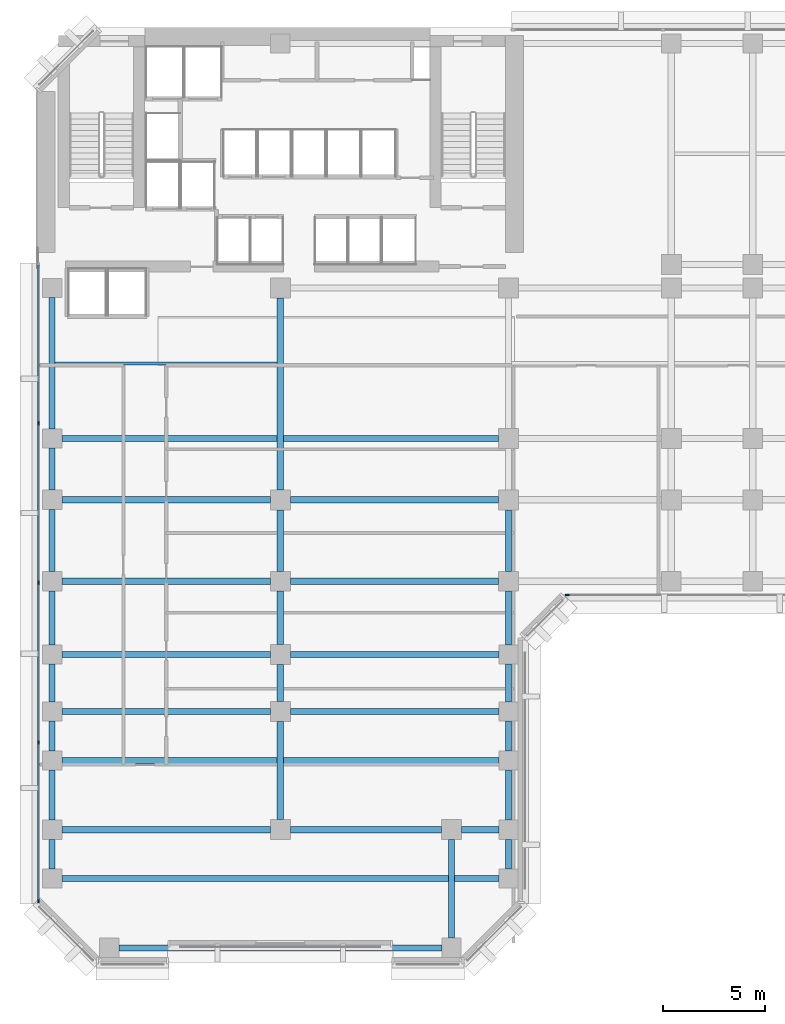
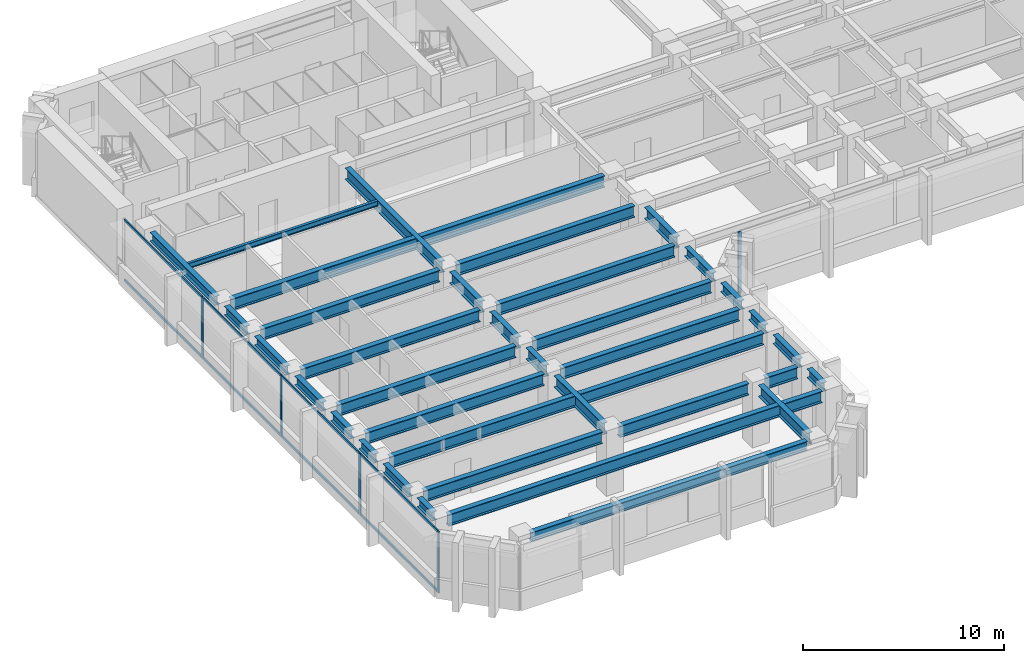
# One storey, part 2 of 13: 36 beams, 13 members, 2 elements without a shape of their own.
"""IFC4 building model written with IfcOpenShell, lengths in metres."""

from ifc_helpers import new_model, si_unit, direction, frame, origin, origin_2d, place, context, subcontext, project, spatial, rectangle, i_section, extrude, material, layer, layer_set, material_profile, profile_set, type_object, element, aggregate, save


model = new_model("IFC4")

# Units and contexts
model_context = context("Model", 3, precision=1e-05, world=origin(), true_north=direction((0.0, 1.0)))
body_context = subcontext(model_context, "Body", "Model", "MODEL_VIEW")
ifc_project = project(units=[si_unit("LENGTHUNIT", "METRE"), si_unit("AREAUNIT", "SQUARE_METRE"), si_unit("VOLUMEUNIT", "CUBIC_METRE"), si_unit("PLANEANGLEUNIT", "RADIAN"), si_unit("MASSUNIT", "GRAM", prefix="KILO")], contexts=[model_context])

# Site, building, storey
site_placement = place(None, origin())
site = spatial("IfcSite", under=ifc_project, at=site_placement, CompositionType="ELEMENT")
building_placement = place(site_placement, origin())
building = spatial("IfcBuilding", under=site, at=building_placement, Name="Kefirva Bronze Tower", CompositionType="ELEMENT")
storey_placement = place(building_placement, frame((0.0, 0.0, 77.8798828125)))
storey = spatial("IfcBuildingStorey", under=building, at=storey_placement, Name="L18", CompositionType="ELEMENT", Elevation=77.8798828125)

# Curtain wall, member
ifc_material_1 = material(Name="Bronze anodised aluminium", Category="aluminium")
ifc_layer = layer(ifc_material_1, 0.199951171875, Name="Bronze anodised aluminium")
ifc_layer_set = layer_set([ifc_layer], Name="Bronze anodised aluminium")
curtain_wall_type = type_object("IfcCurtainWallType", Name="Unitised Bronze Ribbon Curtain Wall Zone 1", PredefinedType="USERDEFINED", material=ifc_layer_set)
curtain_wall_1_placement = place(storey_placement, origin())
curtain_wall_1 = element("IfcCurtainWall", 1, at=curtain_wall_1_placement, inside=storey, type_object=curtain_wall_type, Name="L18 Curtain Wall 1", ObjectType="UNITISED CURTAIN WALL", PredefinedType="USERDEFINED")
ifc_material_profile_1 = material_profile(ifc_material_1, rectangle(XDim=0.074951171875, YDim=0.179931640625, at=origin_2d()), Name="ALU 75x180")
ifc_profile_set_1 = profile_set([ifc_material_profile_1], Name="Bronze anodised aluminium")
member_type_1 = type_object("IfcMemberType", Name="Bronze Mullion 75x180", PredefinedType="MULLION", material=ifc_profile_set_1)
member_1_placement = place(storey_placement, frame((26.092529296875, 18.1201171875, 0.0), z_axis=(0.0, 0.0, 1.0), x_axis=(0.0, 1.0, 0.0)))
member_1 = element("IfcMember", 2, at=member_1_placement, type_object=member_type_1, Name="CW-01 mullion 1", PredefinedType="MULLION", context=body_context, shape_type="SweptSolid", body=[
    extrude(rectangle(XDim=0.074951171875, YDim=0.179931640625, at=origin_2d()), origin(), (0.0, 0.0, 1.0), 3.710205078125),
])
aggregate(curtain_wall_1, [member_1])

# Curtain wall, members
curtain_wall_2_placement = place(storey_placement, origin())
curtain_wall_2 = element("IfcCurtainWall", 3, at=curtain_wall_2_placement, inside=storey, type_object=curtain_wall_type, Name="L18 Curtain Wall 4", ObjectType="UNITISED CURTAIN WALL", PredefinedType="USERDEFINED")
member_2_placement = place(storey_placement, frame((0.1201171875, 26.56005859375, 0.0), z_axis=(0.0, 0.0, 1.0), x_axis=(1.0, 0.0, 0.0)))
member_2 = element("IfcMember", 4, at=member_2_placement, type_object=member_type_1, Name="CW-01 mullion 2", PredefinedType="MULLION", context=body_context, shape_type="SweptSolid", body=[
    extrude(rectangle(XDim=0.074951171875, YDim=0.179931640625, at=origin_2d()), origin(), (0.0, 0.0, 1.0), 3.710205078125),
])
member_3_placement = place(storey_placement, frame((0.1201171875, 18.72509765625, 0.0), z_axis=(0.0, 0.0, 1.0), x_axis=(1.0, 0.0, 0.0)))
member_3 = element("IfcMember", 5, at=member_3_placement, type_object=member_type_1, Name="CW-01 mullion 3", PredefinedType="MULLION", context=body_context, shape_type="SweptSolid", body=[
    extrude(rectangle(XDim=0.074951171875, YDim=0.179931640625, at=origin_2d()), origin(), (0.0, 0.0, 1.0), 3.710205078125),
])
member_4_placement = place(storey_placement, frame((0.1201171875, 10.889892578125, 0.0), z_axis=(0.0, 0.0, 1.0), x_axis=(1.0, 0.0, 0.0)))
member_4 = element("IfcMember", 6, at=member_4_placement, type_object=member_type_1, Name="CW-01 mullion 4", PredefinedType="MULLION", context=body_context, shape_type="SweptSolid", body=[
    extrude(rectangle(XDim=0.074951171875, YDim=0.179931640625, at=origin_2d()), origin(), (0.0, 0.0, 1.0), 3.710205078125),
])
member_5_placement = place(storey_placement, frame((0.1201171875, 3.092529296875, 0.0), z_axis=(0.0, 0.0, 1.0), x_axis=(1.0, 0.0, 0.0)))
member_5 = element("IfcMember", 7, at=member_5_placement, type_object=member_type_1, Name="CW-01 mullion 5", PredefinedType="MULLION", context=body_context, shape_type="SweptSolid", body=[
    extrude(rectangle(XDim=0.074951171875, YDim=0.179931640625, at=origin_2d()), origin(), (0.0, 0.0, 1.0), 3.710205078125),
])
ifc_material_profile_2 = material_profile(ifc_material_1, rectangle(XDim=0.074951171875, YDim=0.14990234375, at=origin_2d()), Name="ALU 75x150")
ifc_profile_set_2 = profile_set([ifc_material_profile_2], Name="Bronze anodised aluminium")
member_type_2 = type_object("IfcMemberType", Name="Bronze Transom 75x150", PredefinedType="USERDEFINED", material=ifc_profile_set_2)
member_6_placement = place(storey_placement, frame((0.1201171875, 34.320068359375, 0.03759765625), z_axis=(0.0, -1.0, 0.0), x_axis=(1.0, 0.0, 0.0)))
member_6 = element("IfcMember", 8, at=member_6_placement, type_object=member_type_2, Name="CW-01 transom 1.1", ObjectType="TRANSOM", PredefinedType="USERDEFINED", context=body_context, shape_type="SweptSolid", body=[
    extrude(rectangle(XDim=0.074951171875, YDim=0.14990234375, at=origin_2d()), origin(), (0.0, 0.0, 1.0), 7.72265625),
])
member_7_placement = place(storey_placement, frame((0.1201171875, 34.320068359375, 3.672607421875), z_axis=(0.0, -1.0, 0.0), x_axis=(1.0, 0.0, 0.0)))
member_7 = element("IfcMember", 9, at=member_7_placement, type_object=member_type_2, Name="CW-01 transom 1.2", ObjectType="TRANSOM", PredefinedType="USERDEFINED", context=body_context, shape_type="SweptSolid", body=[
    extrude(rectangle(XDim=0.074951171875, YDim=0.14990234375, at=origin_2d()), origin(), (0.0, 0.0, 1.0), 7.72265625),
])
member_8_placement = place(storey_placement, frame((0.1201171875, 26.5224609375, 0.03759765625), z_axis=(0.0, -1.0, 0.0), x_axis=(1.0, 0.0, 0.0)))
member_8 = element("IfcMember", 10, at=member_8_placement, type_object=member_type_2, Name="CW-01 transom 2.1", ObjectType="TRANSOM", PredefinedType="USERDEFINED", context=body_context, shape_type="SweptSolid", body=[
    extrude(rectangle(XDim=0.074951171875, YDim=0.14990234375, at=origin_2d()), origin(), (0.0, 0.0, 1.0), 7.760009765625),
])
member_9_placement = place(storey_placement, frame((0.1201171875, 26.5224609375, 3.672607421875), z_axis=(0.0, -1.0, 0.0), x_axis=(1.0, 0.0, 0.0)))
member_9 = element("IfcMember", 11, at=member_9_placement, type_object=member_type_2, Name="CW-01 transom 2.2", ObjectType="TRANSOM", PredefinedType="USERDEFINED", context=body_context, shape_type="SweptSolid", body=[
    extrude(rectangle(XDim=0.074951171875, YDim=0.14990234375, at=origin_2d()), origin(), (0.0, 0.0, 1.0), 7.760009765625),
])
member_10_placement = place(storey_placement, frame((0.1201171875, 18.6875, 0.03759765625), z_axis=(0.0, -1.0, 0.0), x_axis=(1.0, 0.0, 0.0)))
member_10 = element("IfcMember", 12, at=member_10_placement, type_object=member_type_2, Name="CW-01 transom 3.1", ObjectType="TRANSOM", PredefinedType="USERDEFINED", context=body_context, shape_type="SweptSolid", body=[
    extrude(rectangle(XDim=0.074951171875, YDim=0.14990234375, at=origin_2d()), origin(), (0.0, 0.0, 1.0), 7.760009765625),
])
member_11_placement = place(storey_placement, frame((0.1201171875, 18.6875, 3.672607421875), z_axis=(0.0, -1.0, 0.0), x_axis=(1.0, 0.0, 0.0)))
member_11 = element("IfcMember", 13, at=member_11_placement, type_object=member_type_2, Name="CW-01 transom 3.2", ObjectType="TRANSOM", PredefinedType="USERDEFINED", context=body_context, shape_type="SweptSolid", body=[
    extrude(rectangle(XDim=0.074951171875, YDim=0.14990234375, at=origin_2d()), origin(), (0.0, 0.0, 1.0), 7.760009765625),
])
member_12_placement = place(storey_placement, frame((0.1201171875, 10.8525390625, 0.03759765625), z_axis=(0.0, -1.0, 0.0), x_axis=(1.0, 0.0, 0.0)))
member_12 = element("IfcMember", 14, at=member_12_placement, type_object=member_type_2, Name="CW-01 transom 4.1", ObjectType="TRANSOM", PredefinedType="USERDEFINED", context=body_context, shape_type="SweptSolid", body=[
    extrude(rectangle(XDim=0.074951171875, YDim=0.14990234375, at=origin_2d()), origin(), (0.0, 0.0, 1.0), 7.72265625),
])
member_13_placement = place(storey_placement, frame((0.1201171875, 10.8525390625, 3.672607421875), z_axis=(0.0, -1.0, 0.0), x_axis=(1.0, 0.0, 0.0)))
member_13 = element("IfcMember", 15, at=member_13_placement, type_object=member_type_2, Name="CW-01 transom 4.2", ObjectType="TRANSOM", PredefinedType="USERDEFINED", context=body_context, shape_type="SweptSolid", body=[
    extrude(rectangle(XDim=0.074951171875, YDim=0.14990234375, at=origin_2d()), origin(), (0.0, 0.0, 1.0), 7.72265625),
])
aggregate(curtain_wall_2, [member_2, member_3, member_4, member_5, member_6, member_7, member_8, member_9, member_10, member_11, member_12, member_13])

# Beams
ifc_material_2 = material(Name="Steel S355", Category="steel")
ifc_material_profile_3 = material_profile(ifc_material_2, i_section(OverallWidth=0.159912109375, OverallDepth=0.330078125, WebThickness=0.007568359375, FlangeThickness=0.011474609375, at=origin_2d()), Name="IPE 330")
ifc_profile_set_3 = profile_set([ifc_material_profile_3], Name="Steel S355")
beam_type_1 = type_object("IfcBeamType", Name="Steel Floor Joist IPE 330", PredefinedType="JOIST", material=ifc_profile_set_3)
beam_1_placement = place(storey_placement, frame((0.949951171875, 29.489990234375, 3.545166015625), z_axis=(1.0, 0.0, 0.0), x_axis=(0.0, 1.0, 0.0)))
element("IfcBeam", 16, at=beam_1_placement, inside=storey, type_object=beam_type_1, Name="L18 JST-L18-0-294", PredefinedType="JOIST", context=body_context, shape_type="SweptSolid", body=[
    extrude(i_section(OverallWidth=0.159912109375, OverallDepth=0.330078125, WebThickness=0.007568359375, FlangeThickness=0.011474609375, at=origin_2d()), origin(), (0.0, 0.0, 1.0), 10.900146484375),
])
ifc_material_profile_4 = material_profile(ifc_material_2, i_section(OverallWidth=0.300048828125, OverallDepth=0.699951171875, WebThickness=0.01708984375, FlangeThickness=0.031982421875, at=origin_2d()), Name="HEB 700")
ifc_profile_set_4 = profile_set([ifc_material_profile_4], Name="Steel S355")
beam_type_2 = type_object("IfcBeamType", Name="Steel Girder HEB 700", PredefinedType="USERDEFINED", material=ifc_profile_set_4)
beam_2_placement = place(storey_placement, frame((1.27001953125, 4.199951171875, 3.360107421875), z_axis=(1.0, 0.0, 0.0), x_axis=(0.0, 1.0, 0.0)))
element("IfcBeam", 17, at=beam_2_placement, inside=storey, type_object=beam_type_2, Name="L18 BM-L18-EW-0-42", ObjectType="GIRDER", PredefinedType="USERDEFINED", context=body_context, shape_type="SweptSolid", body=[
    extrude(i_section(OverallWidth=0.300048828125, OverallDepth=0.699951171875, WebThickness=0.01708984375, FlangeThickness=0.031982421875, at=origin_2d()), origin(), (0.0, 0.0, 1.0), 21.4599609375),
])
beam_3_placement = place(storey_placement, frame((1.27001953125, 6.60009765625, 3.360107421875), z_axis=(1.0, 0.0, 0.0), x_axis=(0.0, 1.0, 0.0)))
element("IfcBeam", 18, at=beam_3_placement, inside=storey, type_object=beam_type_2, Name="L18 BM-L18-EW-0-66", ObjectType="GIRDER", PredefinedType="USERDEFINED", context=body_context, shape_type="SweptSolid", body=[
    extrude(i_section(OverallWidth=0.300048828125, OverallDepth=0.699951171875, WebThickness=0.01708984375, FlangeThickness=0.031982421875, at=origin_2d()), origin(), (0.0, 0.0, 1.0), 10.239990234375),
])
beam_4_placement = place(storey_placement, frame((12.489990234375, 6.60009765625, 3.360107421875), z_axis=(1.0, 0.0, 0.0), x_axis=(0.0, 1.0, 0.0)))
element("IfcBeam", 19, at=beam_4_placement, inside=storey, type_object=beam_type_2, Name="L18 BM-L18-EW-12-66", ObjectType="GIRDER", PredefinedType="USERDEFINED", context=body_context, shape_type="SweptSolid", body=[
    extrude(i_section(OverallWidth=0.300048828125, OverallDepth=0.699951171875, WebThickness=0.01708984375, FlangeThickness=0.031982421875, at=origin_2d()), origin(), (0.0, 0.0, 1.0), 7.419921875),
])
beam_5_placement = place(storey_placement, frame((20.889892578125, 6.60009765625, 3.360107421875), z_axis=(1.0, 0.0, 0.0), x_axis=(0.0, 1.0, 0.0)))
element("IfcBeam", 20, at=beam_5_placement, inside=storey, type_object=beam_type_2, Name="L18 BM-L18-EW-20-66", ObjectType="GIRDER", PredefinedType="USERDEFINED", context=body_context, shape_type="SweptSolid", body=[
    extrude(i_section(OverallWidth=0.300048828125, OverallDepth=0.699951171875, WebThickness=0.01708984375, FlangeThickness=0.031982421875, at=origin_2d()), origin(), (0.0, 0.0, 1.0), 1.840087890625),
])
beam_6_placement = place(storey_placement, frame((1.27001953125, 10.0, 3.360107421875), z_axis=(1.0, 0.0, 0.0), x_axis=(0.0, 1.0, 0.0)))
element("IfcBeam", 21, at=beam_6_placement, inside=storey, type_object=beam_type_2, Name="L18 BM-L18-EW-0-100", ObjectType="GIRDER", PredefinedType="USERDEFINED", context=body_context, shape_type="SweptSolid", body=[
    extrude(i_section(OverallWidth=0.300048828125, OverallDepth=0.699951171875, WebThickness=0.01708984375, FlangeThickness=0.031982421875, at=origin_2d()), origin(), (0.0, 0.0, 1.0), 21.4599609375),
])
for number, where, z_axis, x_axis, name in (
    (22, (1.27001953125, 12.39990234375, 3.360107421875), (1.0, 0.0, 0.0), (0.0, 1.0, 0.0), "L18 BM-L18-EW-0-124"),
    (23, (12.489990234375, 12.39990234375, 3.360107421875), (1.0, 0.0, 0.0), (0.0, 1.0, 0.0), "L18 BM-L18-EW-12-124"),
    (24, (1.27001953125, 15.199951171875, 3.360107421875), (1.0, 0.0, 0.0), (0.0, 1.0, 0.0), "L18 BM-L18-EW-0-152"),
    (25, (12.489990234375, 15.199951171875, 3.360107421875), (1.0, 0.0, 0.0), (0.0, 1.0, 0.0), "L18 BM-L18-EW-12-152"),
    (26, (1.27001953125, 18.800048828125, 3.360107421875), (1.0, 0.0, 0.0), (0.0, 1.0, 0.0), "L18 BM-L18-EW-0-188"),
):
    element("IfcBeam", number, at=place(storey_placement, frame(where, z_axis=z_axis, x_axis=x_axis)), inside=storey, type_object=beam_type_2, Name=name, ObjectType="GIRDER", PredefinedType="USERDEFINED", context=body_context, shape_type="SweptSolid", body=[
        extrude(i_section(OverallWidth=0.300048828125, OverallDepth=0.699951171875, WebThickness=0.01708984375, FlangeThickness=0.031982421875, at=origin_2d()), origin(), (0.0, 0.0, 1.0), 10.239990234375),
    ])
beam_7_placement = place(storey_placement, frame((12.489990234375, 18.800048828125, 3.360107421875), z_axis=(1.0, 0.0, 0.0), x_axis=(0.0, 1.0, 0.0)))
element("IfcBeam", 27, at=beam_7_placement, inside=storey, type_object=beam_type_2, Name="L18 BM-L18-EW-12-188", ObjectType="GIRDER", PredefinedType="USERDEFINED", context=body_context, shape_type="SweptSolid", body=[
    extrude(i_section(OverallWidth=0.300048828125, OverallDepth=0.699951171875, WebThickness=0.01708984375, FlangeThickness=0.031982421875, at=origin_2d()), origin(), (0.0, 0.0, 1.0), 10.219970703125),
])
beam_8_placement = place(storey_placement, frame((1.27001953125, 22.800048828125, 3.360107421875), z_axis=(1.0, 0.0, 0.0), x_axis=(0.0, 1.0, 0.0)))
element("IfcBeam", 28, at=beam_8_placement, inside=storey, type_object=beam_type_2, Name="L18 BM-L18-EW-0-228", ObjectType="GIRDER", PredefinedType="USERDEFINED", context=body_context, shape_type="SweptSolid", body=[
    extrude(i_section(OverallWidth=0.300048828125, OverallDepth=0.699951171875, WebThickness=0.01708984375, FlangeThickness=0.031982421875, at=origin_2d()), origin(), (0.0, 0.0, 1.0), 10.239990234375),
])
beam_9_placement = place(storey_placement, frame((12.489990234375, 22.800048828125, 3.360107421875), z_axis=(1.0, 0.0, 0.0), x_axis=(0.0, 1.0, 0.0)))
element("IfcBeam", 29, at=beam_9_placement, inside=storey, type_object=beam_type_2, Name="L18 BM-L18-EW-12-228", ObjectType="GIRDER", PredefinedType="USERDEFINED", context=body_context, shape_type="SweptSolid", body=[
    extrude(i_section(OverallWidth=0.300048828125, OverallDepth=0.699951171875, WebThickness=0.01708984375, FlangeThickness=0.031982421875, at=origin_2d()), origin(), (0.0, 0.0, 1.0), 10.219970703125),
])
beam_10_placement = place(storey_placement, frame((1.27001953125, 25.800048828125, 3.360107421875), z_axis=(1.0, 0.0, 0.0), x_axis=(0.0, 1.0, 0.0)))
element("IfcBeam", 30, at=beam_10_placement, inside=storey, type_object=beam_type_2, Name="L18 BM-L18-EW-0-258", ObjectType="GIRDER", PredefinedType="USERDEFINED", context=body_context, shape_type="SweptSolid", body=[
    extrude(i_section(OverallWidth=0.300048828125, OverallDepth=0.699951171875, WebThickness=0.01708984375, FlangeThickness=0.031982421875, at=origin_2d()), origin(), (0.0, 0.0, 1.0), 21.43994140625),
])
beam_11_placement = place(storey_placement, frame((12.0, 7.090087890625, 3.360107421875), z_axis=(0.0, 1.0, 0.0), x_axis=(-1.0, 0.0, 0.0)))
element("IfcBeam", 31, at=beam_11_placement, inside=storey, type_object=beam_type_2, Name="L18 BM-L18-NS-120-6", ObjectType="GIRDER", PredefinedType="USERDEFINED", context=body_context, shape_type="SweptSolid", body=[
    extrude(i_section(OverallWidth=0.300048828125, OverallDepth=0.699951171875, WebThickness=0.01708984375, FlangeThickness=0.031982421875, at=origin_2d()), origin(), (0.0, 0.0, 1.0), 4.81982421875),
])
beam_12_placement = place(storey_placement, frame((12.0, 12.889892578125, 3.360107421875), z_axis=(0.0, 1.0, 0.0), x_axis=(-1.0, 0.0, 0.0)))
element("IfcBeam", 32, at=beam_12_placement, inside=storey, type_object=beam_type_2, Name="L18 BM-L18-NS-120-12", ObjectType="GIRDER", PredefinedType="USERDEFINED", context=body_context, shape_type="SweptSolid", body=[
    extrude(i_section(OverallWidth=0.300048828125, OverallDepth=0.699951171875, WebThickness=0.01708984375, FlangeThickness=0.031982421875, at=origin_2d()), origin(), (0.0, 0.0, 1.0), 1.820068359375),
])
beam_13_placement = place(storey_placement, frame((12.0, 15.68994140625, 3.360107421875), z_axis=(0.0, 1.0, 0.0), x_axis=(-1.0, 0.0, 0.0)))
element("IfcBeam", 33, at=beam_13_placement, inside=storey, type_object=beam_type_2, Name="L18 BM-L18-NS-120-15", ObjectType="GIRDER", PredefinedType="USERDEFINED", context=body_context, shape_type="SweptSolid", body=[
    extrude(i_section(OverallWidth=0.300048828125, OverallDepth=0.699951171875, WebThickness=0.01708984375, FlangeThickness=0.031982421875, at=origin_2d()), origin(), (0.0, 0.0, 1.0), 2.6201171875),
])
beam_14_placement = place(storey_placement, frame((12.0, 19.2900390625, 3.360107421875), z_axis=(0.0, 1.0, 0.0), x_axis=(-1.0, 0.0, 0.0)))
element("IfcBeam", 34, at=beam_14_placement, inside=storey, type_object=beam_type_2, Name="L18 BM-L18-NS-120-18", ObjectType="GIRDER", PredefinedType="USERDEFINED", context=body_context, shape_type="SweptSolid", body=[
    extrude(i_section(OverallWidth=0.300048828125, OverallDepth=0.699951171875, WebThickness=0.01708984375, FlangeThickness=0.031982421875, at=origin_2d()), origin(), (0.0, 0.0, 1.0), 3.02001953125),
])
beam_15_placement = place(storey_placement, frame((12.0, 23.2900390625, 3.360107421875), z_axis=(0.0, 1.0, 0.0), x_axis=(-1.0, 0.0, 0.0)))
element("IfcBeam", 35, at=beam_15_placement, inside=storey, type_object=beam_type_2, Name="L18 BM-L18-NS-120-22", ObjectType="GIRDER", PredefinedType="USERDEFINED", context=body_context, shape_type="SweptSolid", body=[
    extrude(i_section(OverallWidth=0.300048828125, OverallDepth=0.699951171875, WebThickness=0.01708984375, FlangeThickness=0.031982421875, at=origin_2d()), origin(), (0.0, 0.0, 1.0), 9.419921875),
])
beam_16_placement = place(storey_placement, frame((20.39990234375, 1.27001953125, 3.360107421875), z_axis=(0.0, 1.0, 0.0), x_axis=(-1.0, 0.0, 0.0)))
element("IfcBeam", 36, at=beam_16_placement, inside=storey, type_object=beam_type_2, Name="L18 BM-L18-NS-204-0", ObjectType="GIRDER", PredefinedType="USERDEFINED", context=body_context, shape_type="SweptSolid", body=[
    extrude(i_section(OverallWidth=0.300048828125, OverallDepth=0.699951171875, WebThickness=0.01708984375, FlangeThickness=0.031982421875, at=origin_2d()), origin(), (0.0, 0.0, 1.0), 4.840087890625),
])
beam_17_placement = place(storey_placement, frame((23.199951171875, 19.2900390625, 3.360107421875), z_axis=(0.0, 1.0, 0.0), x_axis=(-1.0, 0.0, 0.0)))
element("IfcBeam", 37, at=beam_17_placement, inside=storey, type_object=beam_type_2, Name="L18 BM-L18-NS-232-18", ObjectType="GIRDER", PredefinedType="USERDEFINED", context=body_context, shape_type="SweptSolid", body=[
    extrude(i_section(OverallWidth=0.300048828125, OverallDepth=0.699951171875, WebThickness=0.01708984375, FlangeThickness=0.031982421875, at=origin_2d()), origin(), (0.0, 0.0, 1.0), 3.02001953125),
])
ifc_material_profile_5 = material_profile(ifc_material_2, i_section(OverallWidth=0.300048828125, OverallDepth=0.550048828125, WebThickness=0.014892578125, FlangeThickness=0.029052734375, at=origin_2d()), Name="HEB 550")
ifc_profile_set_5 = profile_set([ifc_material_profile_5], Name="Steel S355")
beam_type_3 = type_object("IfcBeamType", Name="Steel Spandrel HEB 550 Ext", PredefinedType="SPANDREL", material=ifc_profile_set_5)
beam_18_placement = place(storey_placement, frame((4.070068359375, 0.800048828125, 3.43505859375), z_axis=(1.0, 0.0, 0.0), x_axis=(0.0, 1.0, 0.0)))
element("IfcBeam", 38, at=beam_18_placement, inside=storey, type_object=beam_type_3, Name="L18 BM-L18-EW-3-8", PredefinedType="SPANDREL", context=body_context, shape_type="SweptSolid", body=[
    extrude(i_section(OverallWidth=0.300048828125, OverallDepth=0.550048828125, WebThickness=0.014892578125, FlangeThickness=0.029052734375, at=origin_2d()), origin(), (0.0, 0.0, 1.0), 15.85986328125),
])
beam_19_placement = place(storey_placement, frame((0.800048828125, 4.669921875, 3.43505859375), z_axis=(0.0, 1.0, 0.0), x_axis=(-1.0, 0.0, 0.0)))
element("IfcBeam", 39, at=beam_19_placement, inside=storey, type_object=beam_type_3, Name="L18 BM-L18-NS-8-4", PredefinedType="SPANDREL", context=body_context, shape_type="SweptSolid", body=[
    extrude(i_section(OverallWidth=0.300048828125, OverallDepth=0.550048828125, WebThickness=0.014892578125, FlangeThickness=0.029052734375, at=origin_2d()), origin(), (0.0, 0.0, 1.0), 1.4599609375),
])
beam_20_placement = place(storey_placement, frame((0.800048828125, 7.070068359375, 3.43505859375), z_axis=(0.0, 1.0, 0.0), x_axis=(-1.0, 0.0, 0.0)))
element("IfcBeam", 40, at=beam_20_placement, inside=storey, type_object=beam_type_3, Name="L18 BM-L18-NS-8-6", PredefinedType="SPANDREL", context=body_context, shape_type="SweptSolid", body=[
    extrude(i_section(OverallWidth=0.300048828125, OverallDepth=0.550048828125, WebThickness=0.014892578125, FlangeThickness=0.029052734375, at=origin_2d()), origin(), (0.0, 0.0, 1.0), 2.4599609375),
])
beam_21_placement = place(storey_placement, frame((0.800048828125, 10.469970703125, 3.43505859375), z_axis=(0.0, 1.0, 0.0), x_axis=(-1.0, 0.0, 0.0)))
element("IfcBeam", 41, at=beam_21_placement, inside=storey, type_object=beam_type_3, Name="L18 BM-L18-NS-8-10", PredefinedType="SPANDREL", context=body_context, shape_type="SweptSolid", body=[
    extrude(i_section(OverallWidth=0.300048828125, OverallDepth=0.550048828125, WebThickness=0.014892578125, FlangeThickness=0.029052734375, at=origin_2d()), origin(), (0.0, 0.0, 1.0), 1.4599609375),
])
beam_22_placement = place(storey_placement, frame((0.800048828125, 12.8701171875, 3.43505859375), z_axis=(0.0, 1.0, 0.0), x_axis=(-1.0, 0.0, 0.0)))
element("IfcBeam", 42, at=beam_22_placement, inside=storey, type_object=beam_type_3, Name="L18 BM-L18-NS-8-12", PredefinedType="SPANDREL", context=body_context, shape_type="SweptSolid", body=[
    extrude(i_section(OverallWidth=0.300048828125, OverallDepth=0.550048828125, WebThickness=0.014892578125, FlangeThickness=0.029052734375, at=origin_2d()), origin(), (0.0, 0.0, 1.0), 1.85986328125),
])
beam_23_placement = place(storey_placement, frame((0.800048828125, 15.669921875, 3.43505859375), z_axis=(0.0, 1.0, 0.0), x_axis=(-1.0, 0.0, 0.0)))
element("IfcBeam", 43, at=beam_23_placement, inside=storey, type_object=beam_type_3, Name="L18 BM-L18-NS-8-15", PredefinedType="SPANDREL", context=body_context, shape_type="SweptSolid", body=[
    extrude(i_section(OverallWidth=0.300048828125, OverallDepth=0.550048828125, WebThickness=0.014892578125, FlangeThickness=0.029052734375, at=origin_2d()), origin(), (0.0, 0.0, 1.0), 2.66015625),
])
beam_24_placement = place(storey_placement, frame((0.800048828125, 19.27001953125, 3.43505859375), z_axis=(0.0, 1.0, 0.0), x_axis=(-1.0, 0.0, 0.0)))
element("IfcBeam", 44, at=beam_24_placement, inside=storey, type_object=beam_type_3, Name="L18 BM-L18-NS-8-18", PredefinedType="SPANDREL", context=body_context, shape_type="SweptSolid", body=[
    extrude(i_section(OverallWidth=0.300048828125, OverallDepth=0.550048828125, WebThickness=0.014892578125, FlangeThickness=0.029052734375, at=origin_2d()), origin(), (0.0, 0.0, 1.0), 3.06005859375),
])
beam_25_placement = place(storey_placement, frame((0.800048828125, 23.27001953125, 3.43505859375), z_axis=(0.0, 1.0, 0.0), x_axis=(-1.0, 0.0, 0.0)))
element("IfcBeam", 45, at=beam_25_placement, inside=storey, type_object=beam_type_3, Name="L18 BM-L18-NS-8-22", PredefinedType="SPANDREL", context=body_context, shape_type="SweptSolid", body=[
    extrude(i_section(OverallWidth=0.300048828125, OverallDepth=0.550048828125, WebThickness=0.014892578125, FlangeThickness=0.029052734375, at=origin_2d()), origin(), (0.0, 0.0, 1.0), 2.06005859375),
])
beam_26_placement = place(storey_placement, frame((0.800048828125, 26.27001953125, 3.43505859375), z_axis=(0.0, 1.0, 0.0), x_axis=(-1.0, 0.0, 0.0)))
element("IfcBeam", 46, at=beam_26_placement, inside=storey, type_object=beam_type_3, Name="L18 BM-L18-NS-8-25", PredefinedType="SPANDREL", context=body_context, shape_type="SweptSolid", body=[
    extrude(i_section(OverallWidth=0.300048828125, OverallDepth=0.550048828125, WebThickness=0.014892578125, FlangeThickness=0.029052734375, at=origin_2d()), origin(), (0.0, 0.0, 1.0), 6.4599609375),
])
beam_27_placement = place(storey_placement, frame((23.199951171875, 4.669921875, 3.43505859375), z_axis=(0.0, 1.0, 0.0), x_axis=(-1.0, 0.0, 0.0)))
element("IfcBeam", 47, at=beam_27_placement, inside=storey, type_object=beam_type_3, Name="L18 BM-L18-NS-232-4", PredefinedType="SPANDREL", context=body_context, shape_type="SweptSolid", body=[
    extrude(i_section(OverallWidth=0.300048828125, OverallDepth=0.550048828125, WebThickness=0.014892578125, FlangeThickness=0.029052734375, at=origin_2d()), origin(), (0.0, 0.0, 1.0), 1.4599609375),
])
beam_28_placement = place(storey_placement, frame((23.199951171875, 7.070068359375, 3.43505859375), z_axis=(0.0, 1.0, 0.0), x_axis=(-1.0, 0.0, 0.0)))
element("IfcBeam", 48, at=beam_28_placement, inside=storey, type_object=beam_type_3, Name="L18 BM-L18-NS-232-6", PredefinedType="SPANDREL", context=body_context, shape_type="SweptSolid", body=[
    extrude(i_section(OverallWidth=0.300048828125, OverallDepth=0.550048828125, WebThickness=0.014892578125, FlangeThickness=0.029052734375, at=origin_2d()), origin(), (0.0, 0.0, 1.0), 2.4599609375),
])
beam_29_placement = place(storey_placement, frame((23.199951171875, 10.469970703125, 3.43505859375), z_axis=(0.0, 1.0, 0.0), x_axis=(-1.0, 0.0, 0.0)))
element("IfcBeam", 49, at=beam_29_placement, inside=storey, type_object=beam_type_3, Name="L18 BM-L18-NS-232-10", PredefinedType="SPANDREL", context=body_context, shape_type="SweptSolid", body=[
    extrude(i_section(OverallWidth=0.300048828125, OverallDepth=0.550048828125, WebThickness=0.014892578125, FlangeThickness=0.029052734375, at=origin_2d()), origin(), (0.0, 0.0, 1.0), 1.4599609375),
])
beam_30_placement = place(storey_placement, frame((23.199951171875, 12.8701171875, 3.43505859375), z_axis=(0.0, 1.0, 0.0), x_axis=(-1.0, 0.0, 0.0)))
element("IfcBeam", 50, at=beam_30_placement, inside=storey, type_object=beam_type_3, Name="L18 BM-L18-NS-232-12", PredefinedType="SPANDREL", context=body_context, shape_type="SweptSolid", body=[
    extrude(i_section(OverallWidth=0.300048828125, OverallDepth=0.550048828125, WebThickness=0.014892578125, FlangeThickness=0.029052734375, at=origin_2d()), origin(), (0.0, 0.0, 1.0), 1.85986328125),
])
beam_31_placement = place(storey_placement, frame((23.199951171875, 15.669921875, 3.43505859375), z_axis=(0.0, 1.0, 0.0), x_axis=(-1.0, 0.0, 0.0)))
element("IfcBeam", 51, at=beam_31_placement, inside=storey, type_object=beam_type_3, Name="L18 BM-L18-NS-232-15", PredefinedType="SPANDREL", context=body_context, shape_type="SweptSolid", body=[
    extrude(i_section(OverallWidth=0.300048828125, OverallDepth=0.550048828125, WebThickness=0.014892578125, FlangeThickness=0.029052734375, at=origin_2d()), origin(), (0.0, 0.0, 1.0), 2.64013671875),
])

save(model, "model.ifc")
